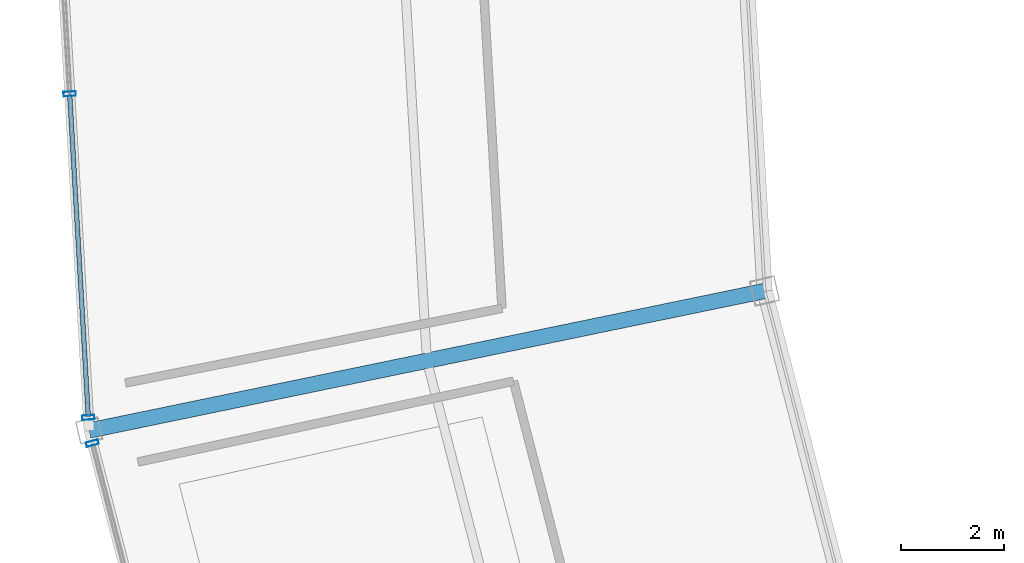
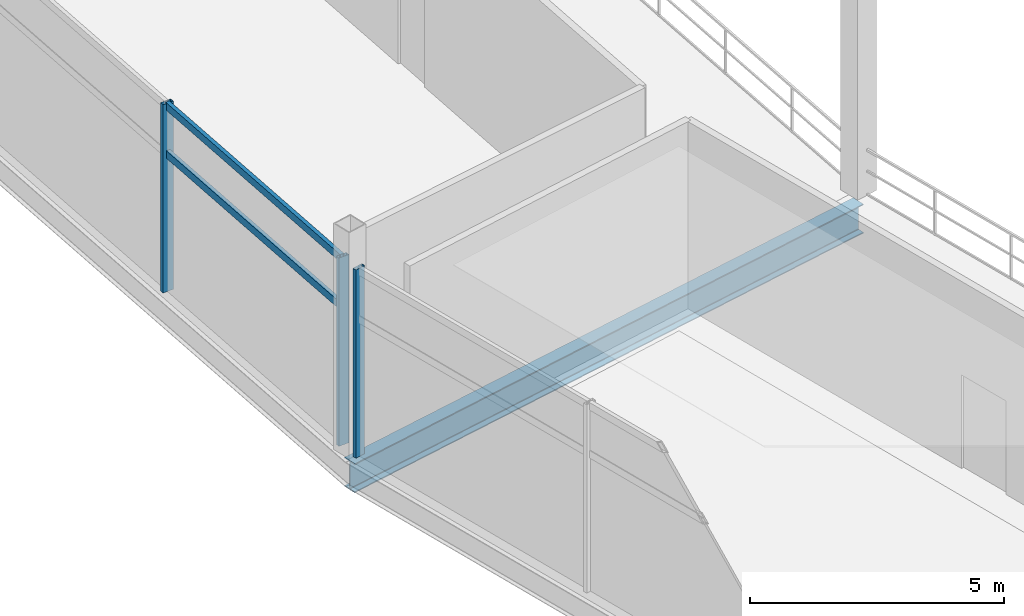
# One storey, part 34 of 103: 5 members, 1 beam, 2 elements without a shape of their own.
"""IFC4 building model written with IfcOpenShell, lengths in metres."""

import ifcopenshell
import ifcopenshell.guid

model = None  # the IFC model being written
_history = None  # IfcOwnerHistory: only IFC2X3 demands one
_inside = {}  # id of a spatial element -> (the spatial element, [elements in it])
_under = {}  # id of a project, library or spatial element -> (it, [spatial elements below it])
_declared = {}  # id of a project -> (the project, [libraries it declares])
_typed = {}  # id of a type object -> (the type object, [elements of that type])
_made_of = {}  # id of a material, layer set ... -> (it, [elements and type objects made of it])


def new_model(schema):
    """Start an empty IFC model of exactly this schema.

    Asked for "IFC4X3", IfcOpenShell would pick the latest addendum, in which some entities
    have other attributes; the version numbers below select the first issue.
    IFC2X3 requires an IfcOwnerHistory on every rooted entity: one is made here for all.
    """
    global model, _history
    if schema == "IFC4X3":
        model = ifcopenshell.file(schema_version=(4, 3, 0, 0))
    else:
        model = ifcopenshell.file(schema=schema)
    _inside.clear()
    _under.clear()
    _declared.clear()
    _typed.clear()
    _made_of.clear()
    _history = None
    if model.schema == "IFC2X3":
        org = make("IfcOrganization", Name="unknown")
        user = make(
            "IfcPersonAndOrganization",
            ThePerson=make("IfcPerson", FamilyName="unknown"),
            TheOrganization=org,
        )
        app = make(
            "IfcApplication",
            ApplicationDeveloper=org,
            Version="unknown",
            ApplicationFullName="unknown",
            ApplicationIdentifier="unknown",
        )
        _history = make(
            "IfcOwnerHistory",
            OwningUser=user,
            OwningApplication=app,
            ChangeAction="ADDED",
            CreationDate=0,
        )
    return model


def make(cls, **values):
    """One entity of the class cls with the attributes given. An attribute that is None is left unset."""
    return model.create_entity(
        cls, **{name: value for name, value in values.items() if value is not None}
    )


def rooted(cls, **values):
    """An entity with a GlobalId (a new one), such as an element, a storey or a relation."""
    return make(cls, GlobalId=ifcopenshell.guid.new(), OwnerHistory=_history, **values)


def si_unit(unit_type, name, prefix=None):
    """IfcSIUnit, for example si_unit("LENGTHUNIT", "METRE", prefix="MILLI")."""
    return make("IfcSIUnit", UnitType=unit_type, Prefix=prefix, Name=name)


def assignment(units):
    """IfcUnitAssignment: the units of a project."""
    return None if units is None else make("IfcUnitAssignment", Units=units)


def point(xyz):
    """IfcCartesianPoint."""
    return None if xyz is None else make("IfcCartesianPoint", Coordinates=xyz)


def direction(xyz):
    """IfcDirection."""
    return None if xyz is None else make("IfcDirection", DirectionRatios=xyz)


def frame(location, z_axis=None, x_axis=None):
    """IfcAxis2Placement3D, a coordinate frame: its origin and axes. An axis left out is left unset."""
    return make(
        "IfcAxis2Placement3D",
        Location=point(location),
        Axis=direction(z_axis),
        RefDirection=direction(x_axis),
    )


def frame_2d(location, x_axis=None):
    """IfcAxis2Placement2D, a coordinate frame in the plane: its origin and x axis."""
    return make(
        "IfcAxis2Placement2D", Location=point(location), RefDirection=direction(x_axis)
    )


def origin():
    """The frame at (0, 0, 0) with its axes left unset."""
    return frame((0.0, 0.0, 0.0))


def origin_2d():
    """The frame at (0, 0) in the plane with its x axis left unset."""
    return frame_2d((0.0, 0.0))


def place(relative_to, where):
    """IfcLocalPlacement: puts the frame where relative to a parent placement (None: the world)."""
    return make(
        "IfcLocalPlacement", PlacementRelTo=relative_to, RelativePlacement=where
    )


def context(
    kind, dimensions, precision=None, world=None, true_north=None, identifier=None
):
    """IfcGeometricRepresentationContext, for example the 3D "Model" context."""
    return make(
        "IfcGeometricRepresentationContext",
        ContextIdentifier=identifier,
        ContextType=kind,
        CoordinateSpaceDimension=dimensions,
        Precision=precision,
        WorldCoordinateSystem=world,
        TrueNorth=true_north,
    )


def subcontext(parent, identifier, kind, view, scale=None):
    """IfcGeometricRepresentationSubContext, for example "Body" below "Model"."""
    return make(
        "IfcGeometricRepresentationSubContext",
        ContextIdentifier=identifier,
        ContextType=kind,
        ParentContext=parent,
        TargetScale=scale,
        TargetView=view,
    )


def project(units=None, contexts=None):
    """IfcProject with its units and contexts."""
    return rooted(
        "IfcProject",
        Name="project",
        RepresentationContexts=contexts,
        UnitsInContext=assignment(units),
    )


def spatial(cls, under=None, at=None, **own):
    """A site, building, storey or space (cls), placed at a placement, below another one or the project."""
    s = rooted(cls, ObjectPlacement=at, **own)
    if under is not None:
        _under.setdefault(under.id(), (under, []))[1].append(s)
    return s


def profile(cls, at=None, kind="AREA", **sizes):
    """A parametric profile (cls). Its sizes go by their IFC names, for example OverallWidth=200.0."""
    return make(cls, ProfileType=kind, Position=at, **sizes)


def hollow_rectangle(**sizes):
    """IfcRectangleHollowProfileDef."""
    return profile("IfcRectangleHollowProfileDef", **sizes)


def i_section(**sizes):
    """IfcIShapeProfileDef."""
    return profile("IfcIShapeProfileDef", **sizes)


def extrude(swept, where, along, depth):
    """IfcExtrudedAreaSolid: the profile swept, set in the frame where, extruded along a direction by depth."""
    return make(
        "IfcExtrudedAreaSolid",
        SweptArea=swept,
        Position=where,
        ExtrudedDirection=direction(along),
        Depth=depth,
    )


def shape(context_of_items, identifier, shape_type, items):
    """IfcShapeRepresentation: the items that make up one representation, for example the "Body"."""
    return make(
        "IfcShapeRepresentation",
        ContextOfItems=context_of_items,
        RepresentationIdentifier=identifier,
        RepresentationType=shape_type,
        Items=items,
    )


def material(Name=None, Category=None):
    """IfcMaterial."""
    return make("IfcMaterial", Name=Name, Category=Category)


def layer(
    of_material, thickness, ventilated=None, Name=None, Category=None, Priority=None
):
    """IfcMaterialLayer: one layer of a wall or slab, of a material (None: an air gap)."""
    return make(
        "IfcMaterialLayer",
        Material=of_material,
        LayerThickness=thickness,
        IsVentilated=ventilated,
        Name=Name,
        Category=Category,
        Priority=Priority,
    )


def layer_set(layers, Name=None):
    """IfcMaterialLayerSet."""
    return make("IfcMaterialLayerSet", MaterialLayers=layers, LayerSetName=Name)


def material_profile(
    of_material, cross_section, Name=None, Category=None, Priority=None
):
    """IfcMaterialProfile: a cross section and its material."""
    return make(
        "IfcMaterialProfile",
        Name=Name,
        Material=of_material,
        Profile=cross_section,
        Priority=Priority,
        Category=Category,
    )


def profile_set(profiles, Name=None, composite=None):
    """IfcMaterialProfileSet."""
    return make(
        "IfcMaterialProfileSet",
        Name=Name,
        MaterialProfiles=profiles,
        CompositeProfile=composite,
    )


def made_of(thing, what):
    """Note that an element or type object is made of a material, layer set ...; save() writes the relation."""
    if what is not None:
        _made_of.setdefault(what.id(), (what, []))[1].append(thing)
    return thing


def type_object(cls, material=None, **own):
    """A type object (cls), such as IfcWallType, which elements share."""
    return made_of(rooted(cls, **own), material)


def element(
    cls,
    number,
    at=None,
    inside=None,
    cuts=None,
    type_object=None,
    material=None,
    context=None,
    identifier="Body",
    shape_type=None,
    held_by="IfcProductDefinitionShape",
    body=None,
    shapes=None,
    **own,
):
    """One element of the class cls, such as IfcWall. Its Tag is "e" and its number.

    at: its placement. inside: the storey or other place that contains it. cuts: it is an
    opening in that element (IfcRelVoidsElement). A single representation is given by context,
    identifier, shape_type and body (its items); several are given by shapes. held_by: the class
    of the entity that holds the representations. save() writes the other relations.
    """
    e = rooted(cls, Tag="e%d" % number, ObjectPlacement=at, **own)
    if body is not None:
        shapes = [shape(context, identifier, shape_type, body)]
    if shapes is not None:
        e.Representation = make(held_by, Representations=shapes)
    if inside is not None:
        _inside.setdefault(inside.id(), (inside, []))[1].append(e)
    if cuts is not None:
        rooted(
            "IfcRelVoidsElement", RelatingBuildingElement=cuts, RelatedOpeningElement=e
        )
    if type_object is not None:
        _typed.setdefault(type_object.id(), (type_object, []))[1].append(e)
    return made_of(e, material)


def aggregate(whole, parts):
    """IfcRelAggregates: a whole, such as a stair, and the parts it consists of."""
    return rooted("IfcRelAggregates", RelatingObject=whole, RelatedObjects=parts)


def save(model, path):
    """Write the relations noted so far, then the file.

    IfcRelAggregates (storeys below a building ...), IfcRelContainedInSpatialStructure (elements
    in a storey), IfcRelDefinesByType, IfcRelAssociatesMaterial and IfcRelDeclares: one each for
    every whole, place, type object, material and project.
    """
    for whole, parts in _under.values():
        aggregate(whole, parts)
    for where, things in _inside.values():
        rooted(
            "IfcRelContainedInSpatialStructure",
            RelatedElements=things,
            RelatingStructure=where,
        )
    for kind, things in _typed.values():
        rooted("IfcRelDefinesByType", RelatedObjects=things, RelatingType=kind)
    for what, things in _made_of.values():
        rooted("IfcRelAssociatesMaterial", RelatedObjects=things, RelatingMaterial=what)
    for by, libraries in _declared.values():
        rooted("IfcRelDeclares", RelatingContext=by, RelatedDefinitions=libraries)
    model.write(path)


model = new_model("IFC4")

# Units and contexts
model_context = context("Model", 3, precision=1e-05, world=origin(), true_north=direction((0.0, 1.0)))
body_context = subcontext(model_context, "Body", "Model", "MODEL_VIEW")
ifc_project = project(units=[si_unit("LENGTHUNIT", "METRE"), si_unit("AREAUNIT", "SQUARE_METRE"), si_unit("VOLUMEUNIT", "CUBIC_METRE"), si_unit("PLANEANGLEUNIT", "RADIAN"), si_unit("MASSUNIT", "GRAM", prefix="KILO")], contexts=[model_context])

# Site, building, storey
site_placement = place(None, origin())
site = spatial("IfcSite", under=ifc_project, at=site_placement, CompositionType="ELEMENT")
building_placement = place(site_placement, origin())
building = spatial("IfcBuilding", under=site, at=building_placement, Name="Kazemori Nagisa Stadium", CompositionType="ELEMENT")
storey_placement = place(building_placement, frame((0.0, 0.0, 25.840087890625)))
storey = spatial("IfcBuildingStorey", under=building, at=storey_placement, Name="L05", CompositionType="ELEMENT", Elevation=25.840087890625)

# Beam
ifc_material_1 = material(Name="Steel SN490B", Category="steel")
ifc_material_profile_1 = material_profile(ifc_material_1, i_section(OverallWidth=0.300048828125, OverallDepth=0.699951171875, WebThickness=0.012939453125, FlangeThickness=0.02392578125, FilletRadius=0.01806640625, at=origin_2d()), Name="H-700x300x13x24")
ifc_profile_set_1 = profile_set([ifc_material_profile_1], Name="Steel SN490B")
beam_type = type_object("IfcBeamType", Name="Beam_BG-H700", PredefinedType="BEAM", material=ifc_profile_set_1)
beam_placement = place(storey_placement, frame((42.262451171875, 85.31787109375, -0.610107421875), z_axis=(-0.979315516463, -0.202339119339, 0.0), x_axis=(0.202339119339, -0.979315516463, 0.0)))
element("IfcBeam", 1, at=beam_placement, inside=storey, type_object=beam_type, Name="Radial girder BG-H700 L05 R2-R3-16", PredefinedType="BEAM", context=body_context, shape_type="SweptSolid", body=[
    extrude(i_section(OverallWidth=0.300048828125, OverallDepth=0.699951171875, WebThickness=0.012939453125, FlangeThickness=0.02392578125, FilletRadius=0.01806640625, at=origin_2d()), origin(), (0.0, 0.0, 1.0), 13.4208984375),
])

# Curtain wall, members
ifc_material_2 = material(Name="Anodised aluminium 6063-T5", Category="aluminium")
ifc_layer_1 = layer(ifc_material_2, 0.239990234375, Name="Anodised aluminium 6063-T5", Category="aluminium")
ifc_layer_set_1 = layer_set([ifc_layer_1], Name="Anodised aluminium 6063-T5")
curtain_wall_type_1 = type_object("IfcCurtainWallType", Name="CW_L05R3_95", PredefinedType="USERDEFINED", material=ifc_layer_set_1)
curtain_wall_1_placement = place(storey_placement, origin())
curtain_wall_1 = element("IfcCurtainWall", 2, at=curtain_wall_1_placement, inside=storey, type_object=curtain_wall_type_1, Name="Unitised curtain wall CW-L05R3-95 L05", ObjectType="UNITISED CURTAIN WALL", PredefinedType="USERDEFINED")
ifc_material_3 = material(Name="Aluminium 6063-T5 anodised", Category="aluminium")
ifc_material_profile_2 = material_profile(ifc_material_3, hollow_rectangle(XDim=0.090087890625, YDim=0.239990234375, WallThickness=0.0048828125, at=origin_2d()), Name="ALU-MULL-90x240x5")
ifc_profile_set_2 = profile_set([ifc_material_profile_2], Name="Aluminium 6063-T5 anodised")
member_type_1 = type_object("IfcMemberType", Name="Mullion_M03", PredefinedType="MULLION", material=ifc_profile_set_2)
member_1_placement = place(storey_placement, frame((28.7412109375, 89.153076171875, 0.0), z_axis=(0.0, 0.0, 1.0), x_axis=(0.057601670941, -0.998339645364, 0.0)))
member_1 = element("IfcMember", 3, at=member_1_placement, type_object=member_type_1, Name="Curtain wall mullion CW-L05R3-95-M3", PredefinedType="MULLION", context=body_context, shape_type="SweptSolid", body=[
    extrude(hollow_rectangle(XDim=0.090087890625, YDim=0.239990234375, WallThickness=0.0048828125, at=origin_2d()), origin(), (0.0, 0.0, 1.0), 4.530029296875),
])
member_2_placement = place(storey_placement, frame((29.1044921875, 82.85693359375, 0.0), z_axis=(0.0, 0.0, 1.0), x_axis=(0.057601670941, -0.998339645364, 0.0)))
member_2 = element("IfcMember", 4, at=member_2_placement, type_object=member_type_1, Name="Curtain wall mullion CW-L05R3-95-M4", PredefinedType="MULLION", context=body_context, shape_type="SweptSolid", body=[
    extrude(hollow_rectangle(XDim=0.090087890625, YDim=0.239990234375, WallThickness=0.0048828125, at=origin_2d()), origin(), (0.0, 0.0, 1.0), 4.530029296875),
])

# Curtain wall, member
ifc_layer_2 = layer(ifc_material_2, 0.239990234375, Name="Anodised aluminium 6063-T5", Category="aluminium")
ifc_layer_set_2 = layer_set([ifc_layer_2], Name="Anodised aluminium 6063-T5")
curtain_wall_type_2 = type_object("IfcCurtainWallType", Name="CW_L05R3_98", PredefinedType="USERDEFINED", material=ifc_layer_set_2)
curtain_wall_2_placement = place(storey_placement, origin())
curtain_wall_2 = element("IfcCurtainWall", 5, at=curtain_wall_2_placement, inside=storey, type_object=curtain_wall_type_2, Name="Unitised curtain wall CW-L05R3-98 L05", ObjectType="UNITISED CURTAIN WALL", PredefinedType="USERDEFINED")
member_3_placement = place(storey_placement, frame((29.182861328125, 82.35546875, 0.0), z_axis=(0.0, 0.0, 1.0), x_axis=(0.249964642418, -0.968254965152, 0.0)))
member_3 = element("IfcMember", 6, at=member_3_placement, type_object=member_type_1, Name="Curtain wall mullion CW-L05R3-98-M1", PredefinedType="MULLION", context=body_context, shape_type="SweptSolid", body=[
    extrude(hollow_rectangle(XDim=0.090087890625, YDim=0.239990234375, WallThickness=0.0048828125, at=origin_2d()), origin(), (0.0, 0.0, 1.0), 4.530029296875),
])
aggregate(curtain_wall_2, [member_3])

# Member
ifc_material_profile_3 = material_profile(ifc_material_3, hollow_rectangle(XDim=0.090087890625, YDim=0.179931640625, WallThickness=0.0048828125, at=origin_2d()), Name="ALU-TRAN-90x180x5")
ifc_profile_set_3 = profile_set([ifc_material_profile_3], Name="Aluminium 6063-T5 anodised")
member_type_2 = type_object("IfcMemberType", Name="Transom_T03", PredefinedType="USERDEFINED", material=ifc_profile_set_3)
member_4_placement = place(storey_placement, frame((28.742431640625, 89.133056640625, 3.306884765625), z_axis=(0.057582347061, -0.998340760115, 0.0), x_axis=(0.998340760115, 0.057582347061, 0.0)))
member_4 = element("IfcMember", 7, at=member_4_placement, type_object=member_type_2, Name="Curtain wall transom CW-L05R3-95-T3-mid", ObjectType="TRANSOM", PredefinedType="USERDEFINED", context=body_context, shape_type="SweptSolid", body=[
    extrude(hollow_rectangle(XDim=0.090087890625, YDim=0.179931640625, WallThickness=0.0048828125, at=origin_2d()), origin(), (0.0, 0.0, 1.0), 6.2666015625),
])

member_5_placement = place(storey_placement, frame((28.742431640625, 89.133056640625, 4.4599609375), z_axis=(0.057582347061, -0.998340760115, 0.0), x_axis=(0.998340760115, 0.057582347061, 0.0)))
member_5 = element("IfcMember", 8, at=member_5_placement, type_object=member_type_2, Name="Curtain wall transom CW-L05R3-95-T3-head", ObjectType="TRANSOM", PredefinedType="USERDEFINED", context=body_context, shape_type="SweptSolid", body=[
    extrude(hollow_rectangle(XDim=0.090087890625, YDim=0.179931640625, WallThickness=0.0048828125, at=origin_2d()), origin(), (0.0, 0.0, 1.0), 6.2666015625),
])

aggregate(curtain_wall_1, [member_1, member_2, member_4, member_5])

save(model, "model.ifc")
